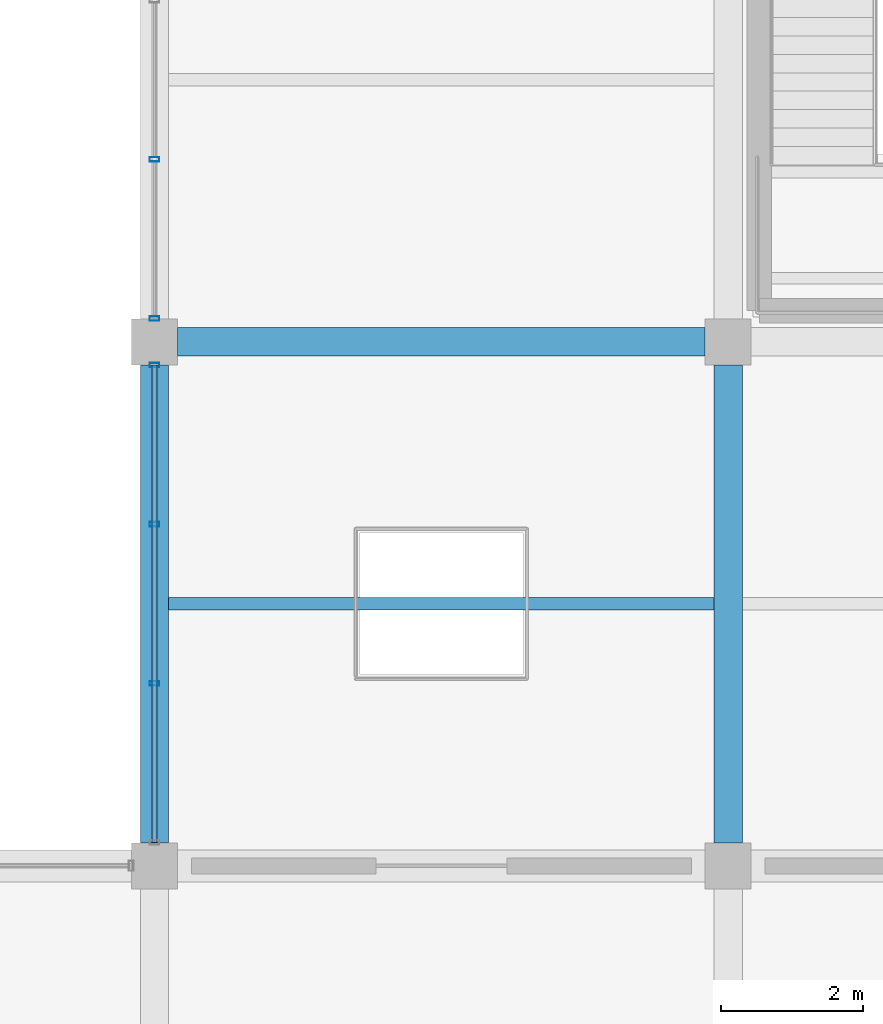
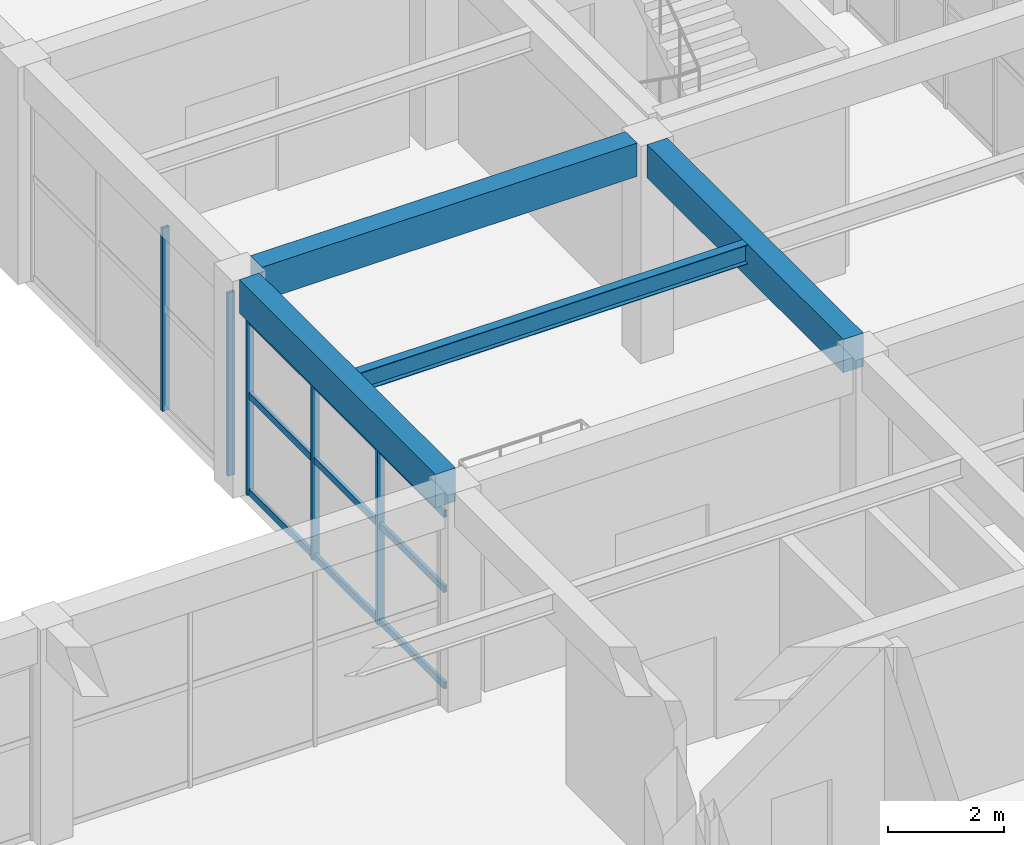
# One storey, part 58 of 161: 8 members, 4 beams, 2 elements without a shape of their own.
"""IFC4 building model written with IfcOpenShell, lengths in metres."""

from ifc_helpers import new_model, si_unit, direction, frame, origin, origin_2d, place, context, subcontext, project, spatial, rectangle, hollow_rectangle, i_section, extrude, material, material_profile, profile_set, type_object, element, aggregate, save


model = new_model("IFC4")

# Units and contexts
model_context = context("Model", 3, precision=1e-05, world=origin(), true_north=direction((0.0, 1.0)))
body_context = subcontext(model_context, "Body", "Model", "MODEL_VIEW")
ifc_project = project(units=[si_unit("LENGTHUNIT", "METRE"), si_unit("AREAUNIT", "SQUARE_METRE"), si_unit("VOLUMEUNIT", "CUBIC_METRE"), si_unit("PLANEANGLEUNIT", "RADIAN"), si_unit("MASSUNIT", "GRAM", prefix="KILO")], contexts=[model_context])

# Site, building, storey
site_placement = place(None, origin())
site = spatial("IfcSite", under=ifc_project, at=site_placement, CompositionType="ELEMENT")
building_placement = place(site_placement, origin())
building = spatial("IfcBuilding", under=site, at=building_placement, Name="Cimatlan Art Gallery", CompositionType="ELEMENT")
storey_placement = place(building_placement, frame((0.0, 0.0, 5.39990234375)))
storey = spatial("IfcBuildingStorey", under=building, at=storey_placement, Name="L01", CompositionType="ELEMENT", Elevation=5.39990234375)

# Beams
ifc_material_1 = material(Name="Concrete C40/50", Category="concrete")
ifc_material_profile_1 = material_profile(ifc_material_1, rectangle(XDim=0.39990234375, YDim=0.699951171875, at=origin_2d()), Name="RC400X700")
ifc_profile_set_1 = profile_set([ifc_material_profile_1], Name="Concrete C40/50")
beam_type_1 = type_object("IfcBeamType", Name="BM-RC-400X700", PredefinedType="BEAM", material=ifc_profile_set_1)
for number, where, z_axis, x_axis, name in (
    (1, (115.39990234375, 39.02490234375, 4.210205078125), (0.0, 1.0, 0.0), (-1.0, 0.0, 0.0), "BM-Y-L01-14-05"),
    (2, (123.5, 39.02490234375, 4.210205078125), (0.0, 1.0, 0.0), (-1.0, 0.0, 0.0), "BM-Y-L01-15-05"),
):
    element("IfcBeam", number, at=place(storey_placement, frame(where, z_axis=z_axis, x_axis=x_axis)), inside=storey, type_object=beam_type_1, Name=name, PredefinedType="BEAM", context=body_context, shape_type="SweptSolid", body=[
        extrude(rectangle(XDim=0.39990234375, YDim=0.699951171875, at=origin_2d()), origin(), (0.0, 0.0, 1.0), 6.75),
    ])
beam_1_placement = place(storey_placement, frame((115.72509765625, 46.10009765625, 4.210205078125), z_axis=(1.0, 0.0, 0.0), x_axis=(0.0, 1.0, 0.0)))
element("IfcBeam", 3, at=beam_1_placement, inside=storey, type_object=beam_type_1, Name="BM-X-L01-14-06", PredefinedType="BEAM", context=body_context, shape_type="SweptSolid", body=[
    extrude(rectangle(XDim=0.39990234375, YDim=0.699951171875, at=origin_2d()), origin(), (0.0, 0.0, 1.0), 7.449951171875),
])
ifc_material_2 = material(Name="Steel ASTM A992 Grade 50", Category="steel")
ifc_material_profile_2 = material_profile(ifc_material_2, i_section(OverallWidth=0.177978515625, OverallDepth=0.406982421875, WebThickness=0.0078125, FlangeThickness=0.0126953125, at=origin_2d()), Name="W16X40")
ifc_profile_set_2 = profile_set([ifc_material_profile_2], Name="Steel ASTM A992 Grade 50")
beam_type_2 = type_object("IfcBeamType", Name="BM-STL-W16X40", PredefinedType="JOIST", material=ifc_profile_set_2)
beam_2_placement = place(storey_placement, frame((115.60009765625, 42.39990234375, 4.356689453125), z_axis=(1.0, 0.0, 0.0), x_axis=(0.0, 1.0, 0.0)))
element("IfcBeam", 4, at=beam_2_placement, inside=storey, type_object=beam_type_2, Name="JST-L01-14-05", PredefinedType="JOIST", context=body_context, shape_type="SweptSolid", body=[
    extrude(i_section(OverallWidth=0.177978515625, OverallDepth=0.406982421875, WebThickness=0.0078125, FlangeThickness=0.0126953125, at=origin_2d()), origin(), (0.0, 0.0, 1.0), 7.699951171875),
])

# Curtain wall, members
ifc_material_3 = material(Name="Anodised bronze unitised curtain wall")
curtain_wall_type_1 = type_object("IfcCurtainWallType", Name="CW-V-06742X03720-B3", PredefinedType="NOTDEFINED", material=ifc_material_3)
curtain_wall_1_placement = place(storey_placement, origin())
curtain_wall_1 = element("IfcCurtainWall", 5, at=curtain_wall_1_placement, inside=storey, type_object=curtain_wall_type_1, Name="CW-L01-14-05-W", PredefinedType="NOTDEFINED")
ifc_material_4 = material(Name="Anodised bronze aluminium 6063-T6", Category="aluminium")
ifc_material_profile_3 = material_profile(ifc_material_4, hollow_rectangle(XDim=0.06494140625, YDim=0.139892578125, WallThickness=0.00390625, at=origin_2d()), Name="ALU65X140X4")
ifc_profile_set_3 = profile_set([ifc_material_profile_3], Name="Anodised bronze aluminium 6063-T6")
member_type_1 = type_object("IfcMemberType", Name="CW-MUL-140", PredefinedType="MULLION", material=ifc_profile_set_3)
member_1_placement = place(storey_placement, frame((115.39990234375, 41.2763671875, 0.0), z_axis=(0.0, 0.0, 1.0), x_axis=(0.0, 1.0, 0.0)))
member_1 = element("IfcMember", 6, at=member_1_placement, type_object=member_type_1, Name="CW-L01-14-05-W-M2", PredefinedType="MULLION", context=body_context, shape_type="SweptSolid", body=[
    extrude(hollow_rectangle(XDim=0.06494140625, YDim=0.139892578125, WallThickness=0.00390625, at=origin_2d()), origin(), (0.0, 0.0, 1.0), 3.72021484375),
])
member_2_placement = place(storey_placement, frame((115.39990234375, 43.523681640625, 0.0), z_axis=(0.0, 0.0, 1.0), x_axis=(0.0, 1.0, 0.0)))
member_2 = element("IfcMember", 7, at=member_2_placement, type_object=member_type_1, Name="CW-L01-14-05-W-M3", PredefinedType="MULLION", context=body_context, shape_type="SweptSolid", body=[
    extrude(hollow_rectangle(XDim=0.06494140625, YDim=0.139892578125, WallThickness=0.00390625, at=origin_2d()), origin(), (0.0, 0.0, 1.0), 3.72021484375),
])
member_3_placement = place(storey_placement, frame((115.39990234375, 45.77099609375, 0.0), z_axis=(0.0, 0.0, 1.0), x_axis=(0.0, 1.0, 0.0)))
member_3 = element("IfcMember", 8, at=member_3_placement, type_object=member_type_1, Name="CW-L01-14-05-W-M4", PredefinedType="MULLION", context=body_context, shape_type="SweptSolid", body=[
    extrude(hollow_rectangle(XDim=0.06494140625, YDim=0.139892578125, WallThickness=0.00390625, at=origin_2d()), origin(), (0.0, 0.0, 1.0), 3.72021484375),
])

curtain_wall_type_2 = type_object("IfcCurtainWallType", Name="CW-V-06742X03845-B3", PredefinedType="NOTDEFINED", material=ifc_material_3)
curtain_wall_2_placement = place(storey_placement, origin())
curtain_wall_2 = element("IfcCurtainWall", 9, at=curtain_wall_2_placement, inside=storey, type_object=curtain_wall_type_2, Name="CW-L01-14-06-W", PredefinedType="NOTDEFINED")
member_4_placement = place(storey_placement, frame((115.39990234375, 46.428955078125, 0.0), z_axis=(0.0, 0.0, 1.0), x_axis=(0.0, 1.0, 0.0)))
member_4 = element("IfcMember", 10, at=member_4_placement, type_object=member_type_1, Name="CW-L01-14-06-W-M1", PredefinedType="MULLION", context=body_context, shape_type="SweptSolid", body=[
    extrude(hollow_rectangle(XDim=0.06494140625, YDim=0.139892578125, WallThickness=0.00390625, at=origin_2d()), origin(), (0.0, 0.0, 1.0), 3.84521484375),
])
member_5_placement = place(storey_placement, frame((115.39990234375, 48.67626953125, 0.0), z_axis=(0.0, 0.0, 1.0), x_axis=(0.0, 1.0, 0.0)))
member_5 = element("IfcMember", 11, at=member_5_placement, type_object=member_type_1, Name="CW-L01-14-06-W-M2", PredefinedType="MULLION", context=body_context, shape_type="SweptSolid", body=[
    extrude(hollow_rectangle(XDim=0.06494140625, YDim=0.139892578125, WallThickness=0.00390625, at=origin_2d()), origin(), (0.0, 0.0, 1.0), 3.84521484375),
])
aggregate(curtain_wall_2, [member_4, member_5])

# Member
ifc_material_profile_4 = material_profile(ifc_material_4, hollow_rectangle(XDim=0.06494140625, YDim=0.139892578125, WallThickness=0.00390625, at=origin_2d()), Name="ALU65X140X4")
ifc_profile_set_4 = profile_set([ifc_material_profile_4], Name="Anodised bronze aluminium 6063-T6")
member_type_2 = type_object("IfcMemberType", Name="CW-TRN-140", PredefinedType="USERDEFINED", material=ifc_profile_set_4)
member_6_placement = place(storey_placement, frame((115.39990234375, 39.029052734375, 0.06005859375), z_axis=(0.0, 1.0, 0.0), x_axis=(-1.0, 0.0, 0.0)))
member_6 = element("IfcMember", 12, at=member_6_placement, type_object=member_type_2, Name="CW-L01-14-05-W-T1", ObjectType="TRANSOM", PredefinedType="USERDEFINED", context=body_context, shape_type="SweptSolid", body=[
    extrude(hollow_rectangle(XDim=0.06494140625, YDim=0.139892578125, WallThickness=0.00390625, at=origin_2d()), origin(), (0.0, 0.0, 1.0), 6.741943359375),
])

member_7_placement = place(storey_placement, frame((115.39990234375, 39.029052734375, 2.083251953125), z_axis=(0.0, 1.0, 0.0), x_axis=(-1.0, 0.0, 0.0)))
member_7 = element("IfcMember", 13, at=member_7_placement, type_object=member_type_2, Name="CW-L01-14-05-W-T2", ObjectType="TRANSOM", PredefinedType="USERDEFINED", context=body_context, shape_type="SweptSolid", body=[
    extrude(hollow_rectangle(XDim=0.06494140625, YDim=0.139892578125, WallThickness=0.00390625, at=origin_2d()), origin(), (0.0, 0.0, 1.0), 6.741943359375),
])

member_8_placement = place(storey_placement, frame((115.39990234375, 39.029052734375, 3.66015625), z_axis=(0.0, 1.0, 0.0), x_axis=(-1.0, 0.0, 0.0)))
member_8 = element("IfcMember", 14, at=member_8_placement, type_object=member_type_2, Name="CW-L01-14-05-W-T3", ObjectType="TRANSOM", PredefinedType="USERDEFINED", context=body_context, shape_type="SweptSolid", body=[
    extrude(hollow_rectangle(XDim=0.06494140625, YDim=0.139892578125, WallThickness=0.00390625, at=origin_2d()), origin(), (0.0, 0.0, 1.0), 6.741943359375),
])

aggregate(curtain_wall_1, [member_1, member_2, member_3, member_6, member_7, member_8])

save(model, "model.ifc")
